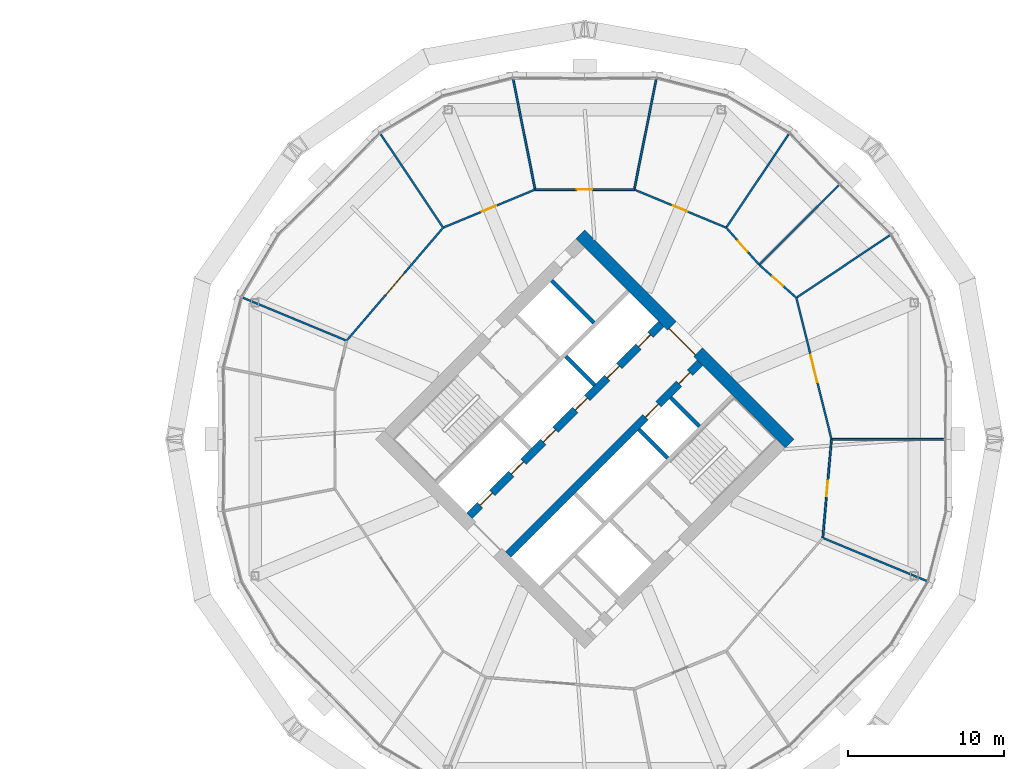
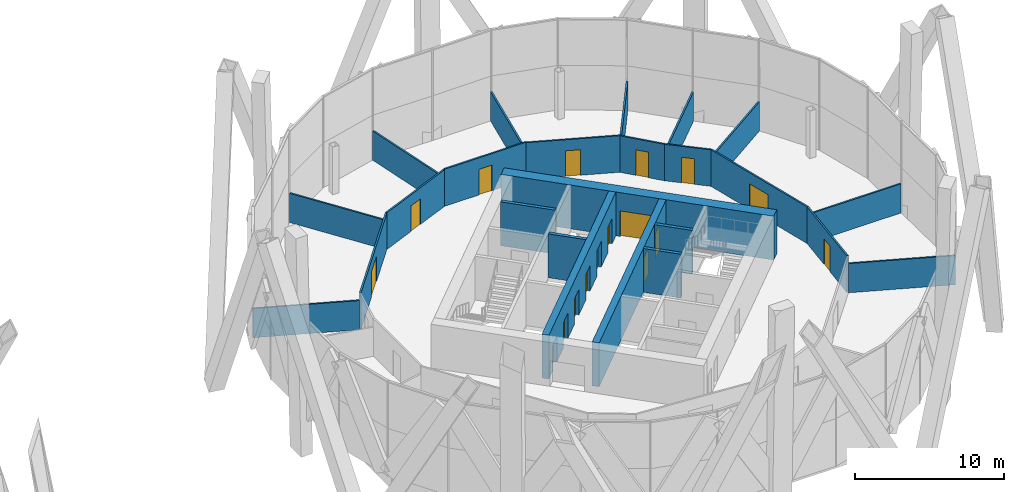
# One storey, part 26 of 31: 24 walls, 17 doors, 17 openings.
"""IFC4 building model written with IfcOpenShell, lengths in metres."""

from ifc_helpers import new_model, si_unit, direction, frame, frame_2d, origin, place, context, subcontext, project, spatial, rectangle, extrude, material, layer, layer_set, type_object, element, fill, save


model = new_model("IFC4")

# Units and contexts
model_context = context("Model", 3, precision=1e-05, world=origin(), true_north=direction((0.0, 1.0)))
body_context = subcontext(model_context, "Body", "Model", "MODEL_VIEW")
ifc_project = project(units=[si_unit("LENGTHUNIT", "METRE"), si_unit("AREAUNIT", "SQUARE_METRE"), si_unit("VOLUMEUNIT", "CUBIC_METRE"), si_unit("PLANEANGLEUNIT", "RADIAN"), si_unit("MASSUNIT", "GRAM", prefix="KILO")], contexts=[model_context])

# Site, building, storey
site_placement = place(None, origin())
site = spatial("IfcSite", under=ifc_project, at=site_placement, CompositionType="ELEMENT")
building_placement = place(site_placement, origin())
building = spatial("IfcBuilding", under=site, at=building_placement, Name="Ogive Gate Towers", CompositionType="ELEMENT")
storey_placement = place(building_placement, frame((0.0, 0.0, 55.800048828125)))
storey = spatial("IfcBuildingStorey", under=building, at=storey_placement, Name="L12", CompositionType="ELEMENT", Elevation=55.800048828125)

# Wall, opening, door
ifc_material_1 = material(Name="Concrete C60/75", Category="concrete")
ifc_layer_1 = layer(ifc_material_1, 0.800048828125)
ifc_layer_set_1 = layer_set([ifc_layer_1], Name="Core wall 800 mm")
wall_type_1 = type_object("IfcWallType", Name="Core wall 800 mm", PredefinedType="SHEAR", material=ifc_layer_set_1)
wall_1_placement = place(storey_placement, frame((49.152099609375, -0.28271484375, 0.0), z_axis=(0.0, 0.0, 1.0), x_axis=(-0.707106781187, 0.707106781187, 0.0)))
wall_1 = element("IfcWall", 1, at=wall_1_placement, inside=storey, type_object=wall_type_1, Name="T2 L12 Core wall 800 mm", PredefinedType="SHEAR", context=body_context, shape_type="SweptSolid", body=[
    extrude(rectangle(XDim=18.999755859375, YDim=0.800048828125, at=frame_2d((9.5, 0.0))), origin(), (0.0, 0.0, 1.0), 3.599853515625),
])
opening_1_placement = place(wall_1_placement, frame((8.300048828125, 0.0, 0.0)))
opening_1 = element("IfcOpeningElement", 2, at=opening_1_placement, cuts=wall_1, Name="Opening KD-T2-L12-02", PredefinedType="OPENING", context=body_context, shape_type="SweptSolid", body=[
    extrude(rectangle(XDim=2.39990234375, YDim=2.10009765625, at=frame_2d((1.199951171875, 1.050048828125))), frame((0.0, 0.41015625, 0.0), z_axis=(0.0, -1.0, 0.0), x_axis=(1.0, 0.0, 0.0)), (0.0, 0.0, 1.0), 0.820068359375),
])
ifc_material_2 = material(Name="Steel fire door", Category="steel")
door_type_1 = type_object("IfcDoorType", Name="Core double door FD60S 2400 x 2100", OperationType="DOUBLE_DOOR_SINGLE_SWING", PredefinedType="DOOR", material=ifc_material_2)
door_1_placement = place(opening_1_placement, origin())
door_1 = element("IfcDoor", 3, at=door_1_placement, inside=storey, type_object=door_type_1, Name="T2 L12 Core door double", OperationType="DOUBLE_DOOR_SINGLE_SWING", OverallHeight=2.10009765625, OverallWidth=2.39990234375, PredefinedType="DOOR", context=body_context, shape_type="SweptSolid", body=[
    extrude(rectangle(XDim=2.39990234375, YDim=2.10009765625, at=frame_2d((1.199951171875, 1.050048828125))), frame((0.0, 0.27490234375, 0.0), z_axis=(0.0, -1.0, 0.0), x_axis=(1.0, 0.0, 0.0)), (0.0, 0.0, 1.0), 0.050048828125),
])
fill(opening_1, door_1)

# Walls
ifc_material_3 = material(Name="Gypsum board partition")
ifc_layer_2 = layer(ifc_material_3, 0.125)
ifc_layer_set_2 = layer_set([ifc_layer_2], Name="Partition 125")
wall_type_2 = type_object("IfcWallType", Name="Partition 125", PredefinedType="PARTITIONING", material=ifc_layer_set_2)
for number, where, z_axis, x_axis, name in (
    (4, (59.05908203125, 0.0, 0.0), (0.0, 0.0, 1.0), (-1.0, 0.0, 0.0), "Partition T2-L12-001"),
    (5, (55.584716796875, 13.095458984375, 0.0), (0.0, 0.0, 1.0), (-0.831272713232, -0.55586480032, 0.0), "Partition T2-L12-002"),
):
    element("IfcWall", number, at=place(storey_placement, frame(where, z_axis=z_axis, x_axis=x_axis)), inside=storey, type_object=wall_type_2, Name=name, PredefinedType="PARTITIONING", context=body_context, shape_type="SweptSolid", body=[
        extrude(rectangle(XDim=7.156494140625, YDim=0.125, at=frame_2d((3.578125, 0.0))), origin(), (0.0, 0.0, 1.0), 2.39990234375),
    ])
wall_2_placement = place(storey_placement, frame((52.30517578125, 16.30517578125, 0.0), z_axis=(0.0, 0.0, 1.0), x_axis=(-0.707106781187, -0.707106781187, 0.0)))
element("IfcWall", 6, at=wall_2_placement, inside=storey, type_object=wall_type_2, Name="Partition T2-L12-003", PredefinedType="PARTITIONING", context=body_context, shape_type="SweptSolid", body=[
    extrude(rectangle(XDim=7.15625, YDim=0.125, at=frame_2d((3.578125, 0.0))), origin(), (0.0, 0.0, 1.0), 2.39990234375),
])
wall_3_placement = place(storey_placement, frame((49.095458984375, 19.584716796875, 0.0), z_axis=(0.0, 0.0, 1.0), x_axis=(-0.55586480032, -0.831272713232, 0.0)))
element("IfcWall", 7, at=wall_3_placement, inside=storey, type_object=wall_type_2, Name="Partition T2-L12-004", PredefinedType="PARTITIONING", context=body_context, shape_type="SweptSolid", body=[
    extrude(rectangle(XDim=7.156494140625, YDim=0.125, at=frame_2d((3.578125, 0.0))), origin(), (0.0, 0.0, 1.0), 2.39990234375),
])
for number, where, z_axis, x_axis, name in (
    (8, (40.5888671875, 23.1083984375, 0.0), (0.0, 0.0, 1.0), (-0.194790759581, -0.980844819521, 0.0), "Partition T2-L12-005"),
    (9, (31.4111328125, 23.1083984375, 0.0), (0.0, 0.0, 1.0), (0.194790759581, -0.980844819521, 0.0), "Partition T2-L12-006"),
):
    element("IfcWall", number, at=place(storey_placement, frame(where, z_axis=z_axis, x_axis=x_axis)), inside=storey, type_object=wall_type_2, Name=name, PredefinedType="PARTITIONING", context=body_context, shape_type="SweptSolid", body=[
        extrude(rectangle(XDim=7.15673828125, YDim=0.125, at=frame_2d((3.578369140625, 0.0))), origin(), (0.0, 0.0, 1.0), 2.39990234375),
    ])
wall_4_placement = place(storey_placement, frame((22.904541015625, 19.584716796875, 0.0), z_axis=(0.0, 0.0, 1.0), x_axis=(0.55586480032, -0.831272713232, 0.0)))
element("IfcWall", 10, at=wall_4_placement, inside=storey, type_object=wall_type_2, Name="Partition T2-L12-007", PredefinedType="PARTITIONING", context=body_context, shape_type="SweptSolid", body=[
    extrude(rectangle(XDim=7.156494140625, YDim=0.125, at=frame_2d((3.578125, 0.0))), origin(), (0.0, 0.0, 1.0), 2.39990234375),
])
for number, where, z_axis, x_axis, name in (
    (11, (13.97216796875, 9.124267578125, 0.0), (0.0, 0.0, 1.0), (0.923884069803, -0.382672478191, 0.0), "Partition T2-L12-008"),
    (12, (58.02783203125, -9.124267578125, 0.0), (0.0, 0.0, 1.0), (-0.923884069803, 0.382672478191, 0.0), "Partition T2-L12-015"),
):
    element("IfcWall", number, at=place(storey_placement, frame(where, z_axis=z_axis, x_axis=x_axis)), inside=storey, type_object=wall_type_2, Name=name, PredefinedType="PARTITIONING", context=body_context, shape_type="SweptSolid", body=[
        extrude(rectangle(XDim=7.2392578125, YDim=0.125, at=frame_2d((3.61962890625, 0.0))), origin(), (0.0, 0.0, 1.0), 2.39990234375),
    ])

# Wall, opening, door
wall_5_placement = place(storey_placement, frame((51.281982421875, -6.330078125, 0.0), z_axis=(0.0, 0.0, 1.0), x_axis=(0.087826535087, 0.996135783784, 0.0)))
wall_5 = element("IfcWall", 13, at=wall_5_placement, inside=storey, type_object=wall_type_2, Name="Partition T2-L12-023", PredefinedType="PARTITIONING", context=body_context, shape_type="SweptSolid", body=[
    extrude(rectangle(XDim=6.354736328125, YDim=0.125, at=frame_2d((3.17724609375, 0.0))), origin(), (0.0, 0.0, 1.0), 3.010009765625),
])
opening_2_placement = place(wall_5_placement, frame((2.677001953125, 0.0, 0.0)))
opening_2 = element("IfcOpeningElement", 14, at=opening_2_placement, cuts=wall_5, Name="Opening T2-L12-D08", PredefinedType="OPENING", context=body_context, shape_type="SweptSolid", body=[
    extrude(rectangle(XDim=1.0, YDim=2.10009765625, at=frame_2d((0.5, 1.050048828125))), frame((0.0, 0.072509765625, 0.0), z_axis=(0.0, -1.0, 0.0), x_axis=(1.0, 0.0, 0.0)), (0.0, 0.0, 1.0), 0.14501953125),
])
ifc_material_4 = material(Name="Timber door", Category="wood")
door_type_2 = type_object("IfcDoorType", Name="Door 1000", OperationType="NOTDEFINED", PredefinedType="DOOR", material=ifc_material_4)
door_2_placement = place(opening_2_placement, origin())
door_2 = element("IfcDoor", 15, at=door_2_placement, inside=storey, type_object=door_type_2, Name="Door T2-L12-D08", OperationType="SINGLE_SWING_RIGHT", OverallHeight=2.10009765625, OverallWidth=1.0, PredefinedType="DOOR", context=body_context, shape_type="SweptSolid", body=[
    extrude(rectangle(XDim=1.0, YDim=2.10009765625, at=frame_2d((0.5, 1.050048828125))), frame((0.0, 0.02490234375, 0.0), z_axis=(0.0, -1.0, 0.0), x_axis=(1.0, 0.0, 0.0)), (0.0, 0.0, 1.0), 0.050048828125),
])
fill(opening_2, door_2)

wall_6_placement = place(storey_placement, frame((51.840087890625, 0.0, 0.0), z_axis=(0.0, 0.0, 1.0), x_axis=(-0.241092918068, 0.970502037534, 0.0)))
wall_6 = element("IfcWall", 16, at=wall_6_placement, inside=storey, type_object=wall_type_2, Name="Partition T2-L12-024", PredefinedType="PARTITIONING", context=body_context, shape_type="SweptSolid", body=[
    extrude(rectangle(XDim=9.35888671875, YDim=0.125, at=frame_2d((4.679443359375, 0.0))), origin(), (0.0, 0.0, 1.0), 3.010009765625),
])
opening_3_placement = place(wall_6_placement, frame((3.779052734375, 0.0, 0.0)))
opening_3 = element("IfcOpeningElement", 17, at=opening_3_placement, cuts=wall_6, Name="Opening T2-L12-D09", PredefinedType="OPENING", context=body_context, shape_type="SweptSolid", body=[
    extrude(rectangle(XDim=1.800048828125, YDim=2.10009765625, at=frame_2d((0.89990234375, 1.050048828125))), frame((0.0, 0.072509765625, 0.0), z_axis=(0.0, -1.0, 0.0), x_axis=(1.0, 0.0, 0.0)), (0.0, 0.0, 1.0), 0.14501953125),
])
door_type_3 = type_object("IfcDoorType", Name="Door pair 1800", OperationType="NOTDEFINED", PredefinedType="DOOR", material=ifc_material_4)
door_3_placement = place(opening_3_placement, origin())
door_3 = element("IfcDoor", 18, at=door_3_placement, inside=storey, type_object=door_type_3, Name="Door T2-L12-D09", OperationType="DOUBLE_DOOR_DOUBLE_SWING", OverallHeight=2.10009765625, OverallWidth=1.800048828125, PredefinedType="DOOR", context=body_context, shape_type="SweptSolid", body=[
    extrude(rectangle(XDim=1.800048828125, YDim=2.10009765625, at=frame_2d((0.89990234375, 1.050048828125))), frame((0.0, 0.02490234375, 0.0), z_axis=(0.0, -1.0, 0.0), x_axis=(1.0, 0.0, 0.0)), (0.0, 0.0, 1.0), 0.050048828125),
])
fill(opening_3, door_3)

wall_7_placement = place(storey_placement, frame((49.583740234375, 9.082763671875, 0.0), z_axis=(0.0, 0.0, 1.0), x_axis=(-0.747464240039, 0.664302047161, 0.0)))
wall_7 = element("IfcWall", 19, at=wall_7_placement, inside=storey, type_object=wall_type_2, Name="Partition T2-L12-025", PredefinedType="PARTITIONING", context=body_context, shape_type="SweptSolid", body=[
    extrude(rectangle(XDim=3.188232421875, YDim=0.125, at=frame_2d((1.59423828125, 0.0))), origin(), (0.0, 0.0, 1.0), 3.0),
])
opening_4_placement = place(wall_7_placement, frame((1.14404296875, 0.0, 0.0)))
opening_4 = element("IfcOpeningElement", 20, at=opening_4_placement, cuts=wall_7, Name="Opening T2-L12-D10", PredefinedType="OPENING", context=body_context, shape_type="SweptSolid", body=[
    extrude(rectangle(XDim=0.89990234375, YDim=2.10009765625, at=frame_2d((0.449951171875, 1.050048828125))), frame((0.0, 0.072509765625, 0.0), z_axis=(0.0, -1.0, 0.0), x_axis=(1.0, 0.0, 0.0)), (0.0, 0.0, 1.0), 0.14501953125),
])
door_type_4 = type_object("IfcDoorType", Name="Door 900", OperationType="NOTDEFINED", PredefinedType="DOOR", material=ifc_material_4)
door_4_placement = place(opening_4_placement, origin())
door_4 = element("IfcDoor", 21, at=door_4_placement, inside=storey, type_object=door_type_4, Name="Door T2-L12-D10", OperationType="SINGLE_SWING_LEFT", OverallHeight=2.10009765625, OverallWidth=0.89990234375, PredefinedType="DOOR", context=body_context, shape_type="SweptSolid", body=[
    extrude(rectangle(XDim=0.89990234375, YDim=2.10009765625, at=frame_2d((0.449951171875, 1.050048828125))), frame((0.0, 0.02490234375, 0.0), z_axis=(0.0, -1.0, 0.0), x_axis=(1.0, 0.0, 0.0)), (0.0, 0.0, 1.0), 0.050048828125),
])
fill(opening_4, door_4)

wall_8_placement = place(storey_placement, frame((47.20068359375, 11.20068359375, 0.0), z_axis=(0.0, 0.0, 1.0), x_axis=(-0.664302047161, 0.747464240039, 0.0)))
wall_8 = element("IfcWall", 22, at=wall_8_placement, inside=storey, type_object=wall_type_2, Name="Partition T2-L12-026", PredefinedType="PARTITIONING", context=body_context, shape_type="SweptSolid", body=[
    extrude(rectangle(XDim=3.188232421875, YDim=0.125, at=frame_2d((1.59423828125, 0.0))), origin(), (0.0, 0.0, 1.0), 3.0),
])
opening_5_placement = place(wall_8_placement, frame((1.14404296875, 0.0, 0.0)))
opening_5 = element("IfcOpeningElement", 23, at=opening_5_placement, cuts=wall_8, Name="Opening T2-L12-D11", PredefinedType="OPENING", context=body_context, shape_type="SweptSolid", body=[
    extrude(rectangle(XDim=0.89990234375, YDim=2.10009765625, at=frame_2d((0.449951171875, 1.050048828125))), frame((0.0, 0.072509765625, 0.0), z_axis=(0.0, -1.0, 0.0), x_axis=(1.0, 0.0, 0.0)), (0.0, 0.0, 1.0), 0.14501953125),
])
door_5_placement = place(opening_5_placement, origin())
door_5 = element("IfcDoor", 24, at=door_5_placement, inside=storey, type_object=door_type_4, Name="Door T2-L12-D11", OperationType="SINGLE_SWING_RIGHT", OverallHeight=2.10009765625, OverallWidth=0.89990234375, PredefinedType="DOOR", context=body_context, shape_type="SweptSolid", body=[
    extrude(rectangle(XDim=0.89990234375, YDim=2.10009765625, at=frame_2d((0.449951171875, 1.050048828125))), frame((0.0, 0.02490234375, 0.0), z_axis=(0.0, -1.0, 0.0), x_axis=(1.0, 0.0, 0.0)), (0.0, 0.0, 1.0), 0.050048828125),
])
fill(opening_5, door_5)

wall_9_placement = place(storey_placement, frame((45.082763671875, 13.583740234375, 0.0), z_axis=(0.0, 0.0, 1.0), x_axis=(-0.923883575944, 0.382673670509, 0.0)))
wall_9 = element("IfcWall", 25, at=wall_9_placement, inside=storey, type_object=wall_type_2, Name="Partition T2-L12-027", PredefinedType="PARTITIONING", context=body_context, shape_type="SweptSolid", body=[
    extrude(rectangle(XDim=6.38623046875, YDim=0.125, at=frame_2d((3.193115234375, 0.0))), origin(), (0.0, 0.0, 1.0), 3.010009765625),
])
opening_6_placement = place(wall_9_placement, frame((2.693115234375, 0.0, 0.0)))
opening_6 = element("IfcOpeningElement", 26, at=opening_6_placement, cuts=wall_9, Name="Opening T2-L12-D12", PredefinedType="OPENING", context=body_context, shape_type="SweptSolid", body=[
    extrude(rectangle(XDim=1.0, YDim=2.10009765625, at=frame_2d((0.5, 1.050048828125))), frame((0.0, 0.072509765625, 0.0), z_axis=(0.0, -1.0, 0.0), x_axis=(1.0, 0.0, 0.0)), (0.0, 0.0, 1.0), 0.14501953125),
])
door_6_placement = place(opening_6_placement, origin())
door_6 = element("IfcDoor", 27, at=door_6_placement, inside=storey, type_object=door_type_2, Name="Door T2-L12-D12", OperationType="SINGLE_SWING_RIGHT", OverallHeight=2.10009765625, OverallWidth=1.0, PredefinedType="DOOR", context=body_context, shape_type="SweptSolid", body=[
    extrude(rectangle(XDim=1.0, YDim=2.10009765625, at=frame_2d((0.5, 1.050048828125))), frame((0.0, 0.02490234375, 0.0), z_axis=(0.0, -1.0, 0.0), x_axis=(1.0, 0.0, 0.0)), (0.0, 0.0, 1.0), 0.050048828125),
])
fill(opening_6, door_6)

wall_10_placement = place(storey_placement, frame((39.1826171875, 16.027587890625, 0.0), z_axis=(0.0, 0.0, 1.0), x_axis=(-1.0, 0.0, 0.0)))
wall_10 = element("IfcWall", 28, at=wall_10_placement, inside=storey, type_object=wall_type_2, Name="Partition T2-L12-028", PredefinedType="PARTITIONING", context=body_context, shape_type="SweptSolid", body=[
    extrude(rectangle(XDim=6.365234375, YDim=0.125, at=frame_2d((3.1826171875, 0.0))), origin(), (0.0, 0.0, 1.0), 3.050048828125),
])
opening_7_placement = place(wall_10_placement, frame((2.68310546875, 0.0, 0.0)))
opening_7 = element("IfcOpeningElement", 29, at=opening_7_placement, cuts=wall_10, Name="Opening T2-L12-D13", PredefinedType="OPENING", context=body_context, shape_type="SweptSolid", body=[
    extrude(rectangle(XDim=1.0, YDim=2.10009765625, at=frame_2d((0.5, 1.050048828125))), frame((0.0, 0.072509765625, 0.0), z_axis=(0.0, -1.0, 0.0), x_axis=(1.0, 0.0, 0.0)), (0.0, 0.0, 1.0), 0.14501953125),
])
door_7_placement = place(opening_7_placement, origin())
door_7 = element("IfcDoor", 30, at=door_7_placement, inside=storey, type_object=door_type_2, Name="Door T2-L12-D13", OperationType="SINGLE_SWING_RIGHT", OverallHeight=2.10009765625, OverallWidth=1.0, PredefinedType="DOOR", context=body_context, shape_type="SweptSolid", body=[
    extrude(rectangle(XDim=1.0, YDim=2.10009765625, at=frame_2d((0.5, 1.050048828125))), frame((0.0, 0.02490234375, 0.0), z_axis=(0.0, -1.0, 0.0), x_axis=(1.0, 0.0, 0.0)), (0.0, 0.0, 1.0), 0.050048828125),
])
fill(opening_7, door_7)

wall_11_placement = place(storey_placement, frame((32.8173828125, 16.027587890625, 0.0), z_axis=(0.0, 0.0, 1.0), x_axis=(-0.923883575944, -0.382673670509, 0.0)))
wall_11 = element("IfcWall", 31, at=wall_11_placement, inside=storey, type_object=wall_type_2, Name="Partition T2-L12-029", PredefinedType="PARTITIONING", context=body_context, shape_type="SweptSolid", body=[
    extrude(rectangle(XDim=6.38623046875, YDim=0.125, at=frame_2d((3.193115234375, 0.0))), origin(), (0.0, 0.0, 1.0), 3.010009765625),
])
opening_8_placement = place(wall_11_placement, frame((2.693115234375, 0.0, 0.0)))
opening_8 = element("IfcOpeningElement", 32, at=opening_8_placement, cuts=wall_11, Name="Opening T2-L12-D14", PredefinedType="OPENING", context=body_context, shape_type="SweptSolid", body=[
    extrude(rectangle(XDim=1.0, YDim=2.10009765625, at=frame_2d((0.5, 1.050048828125))), frame((0.0, 0.072509765625, 0.0), z_axis=(0.0, -1.0, 0.0), x_axis=(1.0, 0.0, 0.0)), (0.0, 0.0, 1.0), 0.14501953125),
])
door_8_placement = place(opening_8_placement, origin())
door_8 = element("IfcDoor", 33, at=door_8_placement, inside=storey, type_object=door_type_2, Name="Door T2-L12-D14", OperationType="SINGLE_SWING_RIGHT", OverallHeight=2.10009765625, OverallWidth=1.0, PredefinedType="DOOR", context=body_context, shape_type="SweptSolid", body=[
    extrude(rectangle(XDim=1.0, YDim=2.10009765625, at=frame_2d((0.5, 1.050048828125))), frame((0.0, 0.02490234375, 0.0), z_axis=(0.0, -1.0, 0.0), x_axis=(1.0, 0.0, 0.0)), (0.0, 0.0, 1.0), 0.050048828125),
])
fill(opening_8, door_8)

wall_12_placement = place(storey_placement, frame((26.917236328125, 13.583740234375, 0.0), z_axis=(0.0, 0.0, 1.0), x_axis=(-0.649690774844, -0.760198590556, 0.0)))
wall_12 = element("IfcWall", 34, at=wall_12_placement, inside=storey, type_object=wall_type_2, Name="Partition T2-L12-030", PredefinedType="PARTITIONING", context=body_context, shape_type="SweptSolid", body=[
    extrude(rectangle(XDim=9.541748046875, YDim=0.125, at=frame_2d((4.77099609375, 0.0))), origin(), (0.0, 0.0, 1.0), 3.0),
])
opening_9_placement = place(wall_12_placement, frame((3.87109375, 0.0, 0.0)))
opening_9 = element("IfcOpeningElement", 35, at=opening_9_placement, cuts=wall_12, Name="Opening T2-L12-D15", PredefinedType="OPENING", context=body_context, shape_type="SweptSolid", body=[
    extrude(rectangle(XDim=1.800048828125, YDim=2.10009765625, at=frame_2d((0.89990234375, 1.050048828125))), frame((0.0, 0.072509765625, 0.0), z_axis=(0.0, -1.0, 0.0), x_axis=(1.0, 0.0, 0.0)), (0.0, 0.0, 1.0), 0.14501953125),
])
door_9_placement = place(opening_9_placement, origin())
door_9 = element("IfcDoor", 36, at=door_9_placement, inside=storey, type_object=door_type_3, Name="Door T2-L12-D15", OperationType="DOUBLE_DOOR_DOUBLE_SWING", OverallHeight=2.10009765625, OverallWidth=1.800048828125, PredefinedType="DOOR", context=body_context, shape_type="SweptSolid", body=[
    extrude(rectangle(XDim=1.800048828125, YDim=2.10009765625, at=frame_2d((0.89990234375, 1.050048828125))), frame((0.0, 0.02490234375, 0.0), z_axis=(0.0, -1.0, 0.0), x_axis=(1.0, 0.0, 0.0)), (0.0, 0.0, 1.0), 0.050048828125),
])
fill(opening_9, door_9)

# Walls
ifc_layer_3 = layer(ifc_material_1, 0.25)
ifc_layer_set_3 = layer_set([ifc_layer_3], Name="Shaft wall 250 mm")
wall_type_3 = type_object("IfcWallType", Name="Shaft wall 250 mm", PredefinedType="SHEAR", material=ifc_layer_set_3)
for number, where, z_axis, x_axis, name in (
    (37, (41.321044921875, -1.2197265625, 0.0), (0.0, 0.0, 1.0), (-0.707106781187, 0.707106781187, 0.0), "T2 L12 Shaft wall 250 mm"),
    (38, (36.636474609375, 3.46484375, 0.0), (0.0, 0.0, 1.0), (-0.707106781187, 0.707106781187, 0.0), "T2 L12 Shaft wall 250 mm"),
):
    element("IfcWall", number, at=place(storey_placement, frame(where, z_axis=z_axis, x_axis=x_axis)), inside=storey, type_object=wall_type_3, Name=name, PredefinedType="SHEAR", context=body_context, shape_type="SweptSolid", body=[
        extrude(rectangle(XDim=2.625, YDim=0.25, at=frame_2d((1.3125, 0.0))), origin(), (0.0, 0.0, 1.0), 3.599853515625),
    ])
wall_13_placement = place(storey_placement, frame((36.58349609375, 7.477783203125, 0.0), z_axis=(0.0, 0.0, 1.0), x_axis=(-0.707138693938, 0.707074866995, 0.0)))
element("IfcWall", 39, at=wall_13_placement, inside=storey, type_object=wall_type_3, Name="T2 L12 Shaft wall 250 mm", PredefinedType="SHEAR", context=body_context, shape_type="SweptSolid", body=[
    extrude(rectangle(XDim=3.824951171875, YDim=0.25, at=frame_2d((1.91259765625, 0.0))), origin(), (0.0, 0.0, 1.0), 3.599853515625),
])
wall_14_placement = place(storey_placement, frame((43.37158203125, 0.830810546875, 0.0), z_axis=(0.0, 0.0, 1.0), x_axis=(-0.707106781187, 0.707106781187, 0.0)))
element("IfcWall", 40, at=wall_14_placement, inside=storey, type_object=wall_type_3, Name="T2 L12 Shaft wall 250 mm", PredefinedType="SHEAR", context=body_context, shape_type="SweptSolid", body=[
    extrude(rectangle(XDim=2.625, YDim=0.25, at=frame_2d((1.3125, 0.0))), origin(), (0.0, 0.0, 1.0), 3.599853515625),
])

# Wall, openings, doors
ifc_layer_4 = layer(ifc_material_1, 0.5)
ifc_layer_set_4 = layer_set([ifc_layer_4], Name="Spine wall 500 mm")
wall_type_4 = type_object("IfcWallType", Name="Spine wall 500 mm", PredefinedType="SHEAR", material=ifc_layer_set_4)
wall_15_placement = place(storey_placement, frame((31.085693359375, -7.389404296875, 0.0), z_axis=(0.0, 0.0, 1.0), x_axis=(0.707106781187, 0.707106781187, 0.0)))
wall_15 = element("IfcWall", 41, at=wall_15_placement, inside=storey, type_object=wall_type_4, Name="T2 L12 Spine wall 500 mm", PredefinedType="SHEAR", context=body_context, shape_type="SweptSolid", body=[
    extrude(rectangle(XDim=17.400146484375, YDim=0.5, at=frame_2d((8.7001953125, 0.0))), origin(), (0.0, 0.0, 1.0), 3.599853515625),
])
opening_10_placement = place(wall_15_placement, frame((12.449951171875, 0.0, 0.0)))
opening_10 = element("IfcOpeningElement", 42, at=opening_10_placement, cuts=wall_15, Name="Opening LD-T2-L12-09", PredefinedType="OPENING", context=body_context, shape_type="SweptSolid", body=[
    extrude(rectangle(XDim=1.199951171875, YDim=2.10009765625, at=frame_2d((0.60009765625, 1.050048828125))), frame((0.0, 0.260009765625, 0.0), z_axis=(0.0, -1.0, 0.0), x_axis=(1.0, 0.0, 0.0)), (0.0, 0.0, 1.0), 0.52001953125),
])
opening_11_placement = place(wall_15_placement, frame((15.5, 0.0, 0.0)))
opening_11 = element("IfcOpeningElement", 43, at=opening_11_placement, cuts=wall_15, Name="Opening KD-T2-L12-12", PredefinedType="OPENING", context=body_context, shape_type="SweptSolid", body=[
    extrude(rectangle(XDim=1.0, YDim=2.10009765625, at=frame_2d((0.5, 1.050048828125))), frame((0.0, 0.260009765625, 0.0), z_axis=(0.0, -1.0, 0.0), x_axis=(1.0, 0.0, 0.0)), (0.0, 0.0, 1.0), 0.52001953125),
])
door_type_5 = type_object("IfcDoorType", Name="Core door FD60S 1000 x 2100", OperationType="NOTDEFINED", PredefinedType="DOOR", material=ifc_material_2)
door_10_placement = place(opening_11_placement, origin())
door_10 = element("IfcDoor", 44, at=door_10_placement, inside=storey, type_object=door_type_5, Name="T2 L12 Core door", OperationType="SINGLE_SWING_LEFT", OverallHeight=2.10009765625, OverallWidth=1.0, PredefinedType="DOOR", context=body_context, shape_type="SweptSolid", body=[
    extrude(rectangle(XDim=1.0, YDim=2.10009765625, at=frame_2d((0.5, 1.050048828125))), frame((0.0, 0.02490234375, 0.0), z_axis=(0.0, -1.0, 0.0), x_axis=(1.0, 0.0, 0.0)), (0.0, 0.0, 1.0), 0.050048828125),
])
fill(opening_11, door_10)
ifc_material_5 = material(Name="Stainless steel landing door", Category="steel")
door_type_6 = type_object("IfcDoorType", Name="Landing door 1200 x 2100", OperationType="SLIDING_TO_LEFT", PredefinedType="DOOR", material=ifc_material_5)
door_11_placement = place(opening_10_placement, origin())
door_11 = element("IfcDoor", 45, at=door_11_placement, inside=storey, type_object=door_type_6, Name="T2 L12 Lift landing door SVC", OperationType="SLIDING_TO_LEFT", OverallHeight=2.10009765625, OverallWidth=1.199951171875, PredefinedType="DOOR", context=body_context, shape_type="SweptSolid", body=[
    extrude(rectangle(XDim=1.199951171875, YDim=2.10009765625, at=frame_2d((0.60009765625, 1.050048828125))), frame((0.0, 0.02490234375, 0.0), z_axis=(0.0, -1.0, 0.0), x_axis=(1.0, 0.0, 0.0)), (0.0, 0.0, 1.0), 0.050048828125),
])
fill(opening_10, door_11)

wall_16_placement = place(storey_placement, frame((28.610595703125, -4.914306640625, 0.0), z_axis=(0.0, 0.0, 1.0), x_axis=(0.707106781187, 0.707106781187, 0.0)))
wall_16 = element("IfcWall", 46, at=wall_16_placement, inside=storey, type_object=wall_type_4, Name="T2 L12 Spine wall 500 mm", PredefinedType="SHEAR", context=body_context, shape_type="SweptSolid", body=[
    extrude(rectangle(XDim=17.400146484375, YDim=0.5, at=frame_2d((8.7001953125, 0.0))), origin(), (0.0, 0.0, 1.0), 3.599853515625),
])
opening_12_placement = place(wall_16_placement, frame((0.96240234375, 0.0, 0.0)))
opening_12 = element("IfcOpeningElement", 47, at=opening_12_placement, cuts=wall_16, Name="Opening LD-T2-L12-03", PredefinedType="OPENING", context=body_context, shape_type="SweptSolid", body=[
    extrude(rectangle(XDim=1.10009765625, YDim=2.10009765625, at=frame_2d((0.550048828125, 1.050048828125))), frame((0.0, 0.260009765625, 0.0), z_axis=(0.0, -1.0, 0.0), x_axis=(1.0, 0.0, 0.0)), (0.0, 0.0, 1.0), 0.52001953125),
])
opening_13_placement = place(wall_16_placement, frame((3.800048828125, 0.0, 0.0)))
opening_13 = element("IfcOpeningElement", 48, at=opening_13_placement, cuts=wall_16, Name="Opening LD-T2-L12-04", PredefinedType="OPENING", context=body_context, shape_type="SweptSolid", body=[
    extrude(rectangle(XDim=1.10009765625, YDim=2.10009765625, at=frame_2d((0.550048828125, 1.050048828125))), frame((0.0, 0.260009765625, 0.0), z_axis=(0.0, -1.0, 0.0), x_axis=(1.0, 0.0, 0.0)), (0.0, 0.0, 1.0), 0.52001953125),
])
opening_14_placement = place(wall_16_placement, frame((6.699951171875, 0.0, 0.0)))
opening_14 = element("IfcOpeningElement", 49, at=opening_14_placement, cuts=wall_16, Name="Opening LD-T2-L12-05", PredefinedType="OPENING", context=body_context, shape_type="SweptSolid", body=[
    extrude(rectangle(XDim=1.10009765625, YDim=2.10009765625, at=frame_2d((0.550048828125, 1.050048828125))), frame((0.0, 0.260009765625, 0.0), z_axis=(0.0, -1.0, 0.0), x_axis=(1.0, 0.0, 0.0)), (0.0, 0.0, 1.0), 0.52001953125),
])
opening_15_placement = place(wall_16_placement, frame((9.60009765625, 0.0, 0.0)))
opening_15 = element("IfcOpeningElement", 50, at=opening_15_placement, cuts=wall_16, Name="Opening LD-T2-L12-06", PredefinedType="OPENING", context=body_context, shape_type="SweptSolid", body=[
    extrude(rectangle(XDim=1.10009765625, YDim=2.10009765625, at=frame_2d((0.550048828125, 1.050048828125))), frame((0.0, 0.260009765625, 0.0), z_axis=(0.0, -1.0, 0.0), x_axis=(1.0, 0.0, 0.0)), (0.0, 0.0, 1.0), 0.52001953125),
])
opening_16_placement = place(wall_16_placement, frame((12.5, 0.0, 0.0)))
opening_16 = element("IfcOpeningElement", 51, at=opening_16_placement, cuts=wall_16, Name="Opening LD-T2-L12-07", PredefinedType="OPENING", context=body_context, shape_type="SweptSolid", body=[
    extrude(rectangle(XDim=1.10009765625, YDim=2.10009765625, at=frame_2d((0.550048828125, 1.050048828125))), frame((0.0, 0.260009765625, 0.0), z_axis=(0.0, -1.0, 0.0), x_axis=(1.0, 0.0, 0.0)), (0.0, 0.0, 1.0), 0.52001953125),
])
opening_17_placement = place(wall_16_placement, frame((15.33740234375, 0.0, 0.0)))
opening_17 = element("IfcOpeningElement", 52, at=opening_17_placement, cuts=wall_16, Name="Opening LD-T2-L12-08", PredefinedType="OPENING", context=body_context, shape_type="SweptSolid", body=[
    extrude(rectangle(XDim=1.10009765625, YDim=2.10009765625, at=frame_2d((0.550048828125, 1.050048828125))), frame((0.0, 0.260009765625, 0.0), z_axis=(0.0, -1.0, 0.0), x_axis=(1.0, 0.0, 0.0)), (0.0, 0.0, 1.0), 0.52001953125),
])
door_type_7 = type_object("IfcDoorType", Name="Landing door 1100 x 2100", OperationType="SLIDING_TO_LEFT", PredefinedType="DOOR", material=ifc_material_5)
door_12_placement = place(opening_12_placement, origin())
door_12 = element("IfcDoor", 53, at=door_12_placement, inside=storey, type_object=door_type_7, Name="T2 L12 Lift landing door A1", OperationType="SLIDING_TO_LEFT", OverallHeight=2.10009765625, OverallWidth=1.10009765625, PredefinedType="DOOR", context=body_context, shape_type="SweptSolid", body=[
    extrude(rectangle(XDim=1.10009765625, YDim=2.10009765625, at=frame_2d((0.550048828125, 1.050048828125))), frame((0.0, 0.02490234375, 0.0), z_axis=(0.0, -1.0, 0.0), x_axis=(1.0, 0.0, 0.0)), (0.0, 0.0, 1.0), 0.050048828125),
])
fill(opening_12, door_12)
door_13_placement = place(opening_13_placement, origin())
door_13 = element("IfcDoor", 54, at=door_13_placement, inside=storey, type_object=door_type_7, Name="T2 L12 Lift landing door A2", OperationType="SLIDING_TO_LEFT", OverallHeight=2.10009765625, OverallWidth=1.10009765625, PredefinedType="DOOR", context=body_context, shape_type="SweptSolid", body=[
    extrude(rectangle(XDim=1.10009765625, YDim=2.10009765625, at=frame_2d((0.550048828125, 1.050048828125))), frame((0.0, 0.02490234375, 0.0), z_axis=(0.0, -1.0, 0.0), x_axis=(1.0, 0.0, 0.0)), (0.0, 0.0, 1.0), 0.050048828125),
])
fill(opening_13, door_13)
door_14_placement = place(opening_14_placement, origin())
door_14 = element("IfcDoor", 55, at=door_14_placement, inside=storey, type_object=door_type_7, Name="T2 L12 Lift landing door A3", OperationType="SLIDING_TO_LEFT", OverallHeight=2.10009765625, OverallWidth=1.10009765625, PredefinedType="DOOR", context=body_context, shape_type="SweptSolid", body=[
    extrude(rectangle(XDim=1.10009765625, YDim=2.10009765625, at=frame_2d((0.550048828125, 1.050048828125))), frame((0.0, 0.02490234375, 0.0), z_axis=(0.0, -1.0, 0.0), x_axis=(1.0, 0.0, 0.0)), (0.0, 0.0, 1.0), 0.050048828125),
])
fill(opening_14, door_14)
door_15_placement = place(opening_15_placement, origin())
door_15 = element("IfcDoor", 56, at=door_15_placement, inside=storey, type_object=door_type_7, Name="T2 L12 Lift landing door A4", OperationType="SLIDING_TO_LEFT", OverallHeight=2.10009765625, OverallWidth=1.10009765625, PredefinedType="DOOR", context=body_context, shape_type="SweptSolid", body=[
    extrude(rectangle(XDim=1.10009765625, YDim=2.10009765625, at=frame_2d((0.550048828125, 1.050048828125))), frame((0.0, 0.02490234375, 0.0), z_axis=(0.0, -1.0, 0.0), x_axis=(1.0, 0.0, 0.0)), (0.0, 0.0, 1.0), 0.050048828125),
])
fill(opening_15, door_15)
door_16_placement = place(opening_16_placement, origin())
door_16 = element("IfcDoor", 57, at=door_16_placement, inside=storey, type_object=door_type_7, Name="T2 L12 Lift landing door A5", OperationType="SLIDING_TO_LEFT", OverallHeight=2.10009765625, OverallWidth=1.10009765625, PredefinedType="DOOR", context=body_context, shape_type="SweptSolid", body=[
    extrude(rectangle(XDim=1.10009765625, YDim=2.10009765625, at=frame_2d((0.550048828125, 1.050048828125))), frame((0.0, 0.02490234375, 0.0), z_axis=(0.0, -1.0, 0.0), x_axis=(1.0, 0.0, 0.0)), (0.0, 0.0, 1.0), 0.050048828125),
])
fill(opening_16, door_16)
door_17_placement = place(opening_17_placement, origin())
door_17 = element("IfcDoor", 58, at=door_17_placement, inside=storey, type_object=door_type_7, Name="T2 L12 Lift landing door A6", OperationType="SLIDING_TO_LEFT", OverallHeight=2.10009765625, OverallWidth=1.10009765625, PredefinedType="DOOR", context=body_context, shape_type="SweptSolid", body=[
    extrude(rectangle(XDim=1.10009765625, YDim=2.10009765625, at=frame_2d((0.550048828125, 1.050048828125))), frame((0.0, 0.02490234375, 0.0), z_axis=(0.0, -1.0, 0.0), x_axis=(1.0, 0.0, 0.0)), (0.0, 0.0, 1.0), 0.050048828125),
])
fill(opening_17, door_17)

save(model, "model.ifc")
